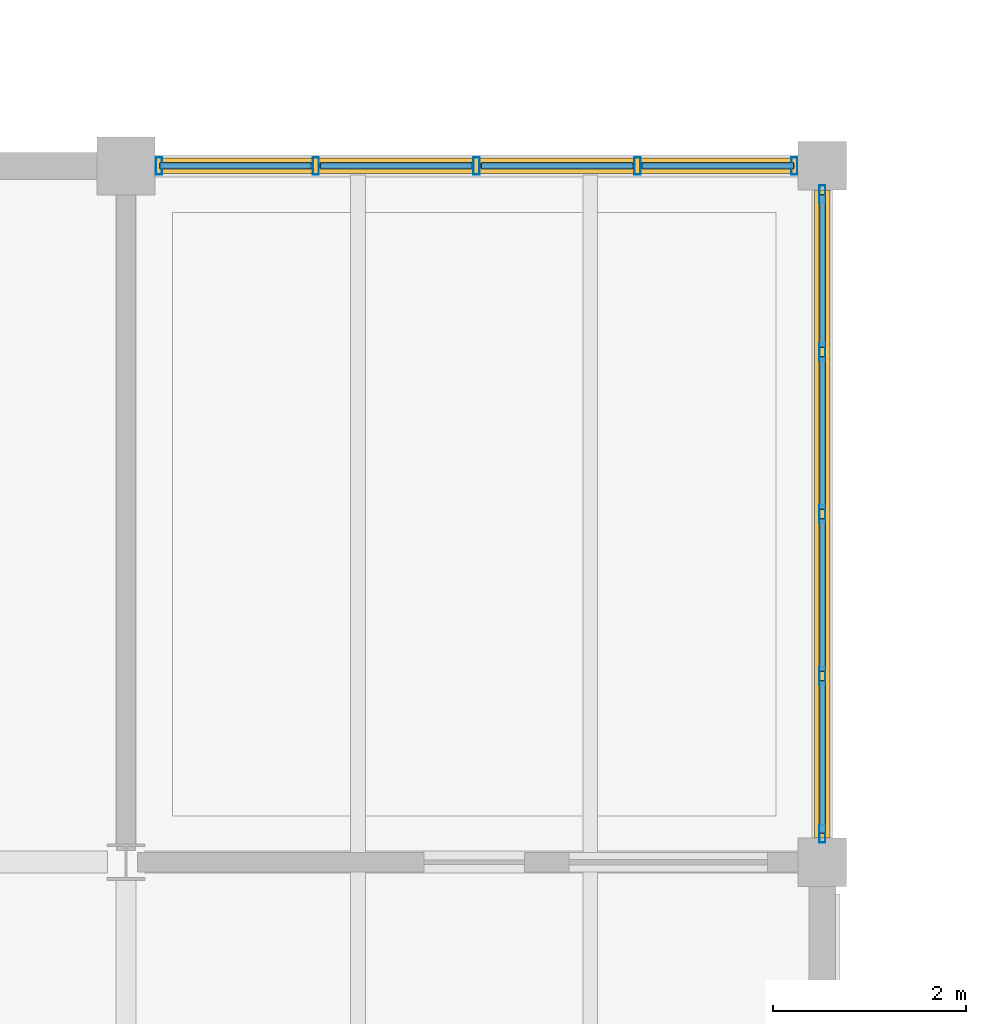
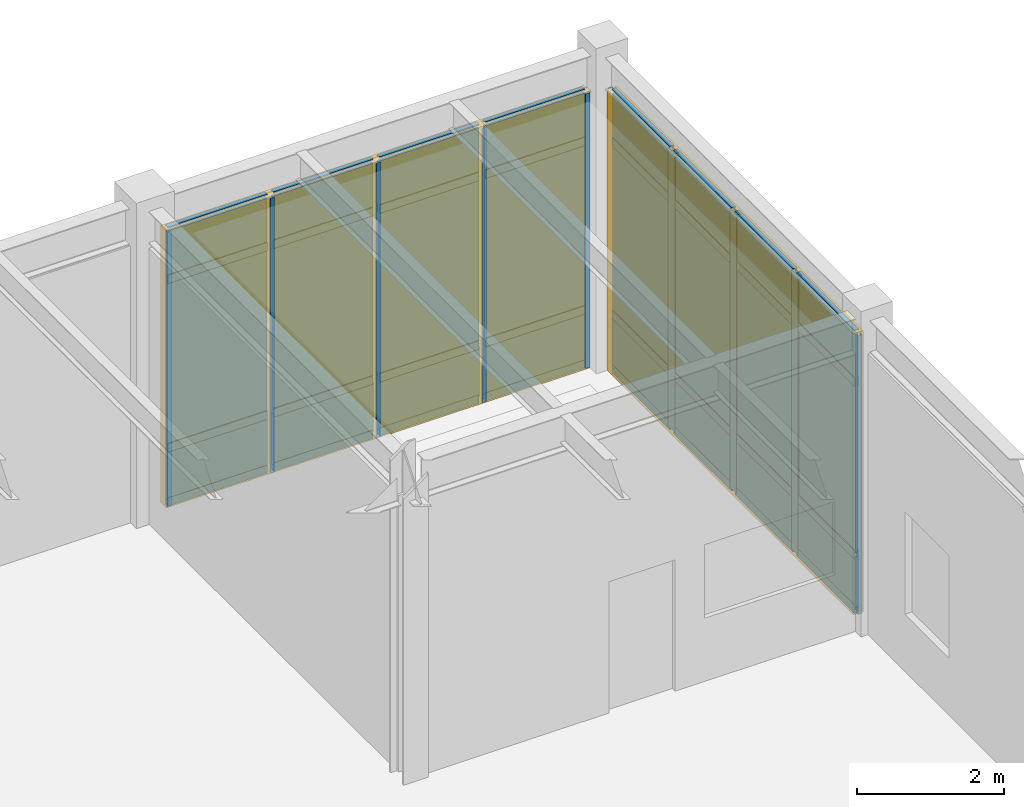
# One storey, part 76 of 97: 42 members, 16 plates, 2 curtain walls.
"""IFC4 building model written with IfcOpenShell, lengths in metres."""

from ifc_helpers import new_model, si_unit, direction, frame, origin, origin_2d, place, context, subcontext, project, spatial, rectangle, hollow_rectangle, extrude, material, layer, layer_set, material_profile, profile_set, type_object, element, aggregate, save


model = new_model("IFC4")

# Units and contexts
model_context = context("Model", 3, precision=1e-05, world=origin(), true_north=direction((0.0, 1.0)))
body_context = subcontext(model_context, "Body", "Model", "MODEL_VIEW")
ifc_project = project(units=[si_unit("LENGTHUNIT", "METRE"), si_unit("AREAUNIT", "SQUARE_METRE"), si_unit("VOLUMEUNIT", "CUBIC_METRE"), si_unit("PLANEANGLEUNIT", "RADIAN"), si_unit("MASSUNIT", "GRAM", prefix="KILO")], contexts=[model_context])

# Member
ifc_material_1 = material(Name="Anodized Aluminium 6063-T6", Category="aluminium")
ifc_material_profile_1 = material_profile(ifc_material_1, hollow_rectangle(XDim=0.06494140625, YDim=0.179931640625, WallThickness=0.00390625, at=origin_2d()), Name="ALU 65x180x4")
ifc_profile_set_1 = profile_set([ifc_material_profile_1], Name="Anodized Aluminium 6063-T6")
member_type_1 = type_object("IfcMemberType", Name="CWM-65X150", PredefinedType="MULLION", material=ifc_profile_set_1)
site_placement = place(None, origin())
building_placement = place(site_placement, origin())
storey_placement = place(building_placement, origin())
member_1_placement = place(storey_placement, frame((108.340087890625, 115.199951171875, 0.02001953125), z_axis=(0.0, 0.0, 1.0), x_axis=(1.0, 0.0, 0.0)))
member_1 = element("IfcMember", 1, at=member_1_placement, type_object=member_type_1, Name="Curtain wall mullion CW-L01-15-15-N-00", PredefinedType="MULLION", context=body_context, shape_type="SweptSolid", body=[
    extrude(hollow_rectangle(XDim=0.06494140625, YDim=0.179931640625, WallThickness=0.00390625, at=origin_2d()), origin(), (0.0, 0.0, 1.0), 4.557861328125),
])

member_2_placement = place(storey_placement, frame((109.96240234375, 115.199951171875, 0.02001953125), z_axis=(0.0, 0.0, 1.0), x_axis=(1.0, 0.0, 0.0)))
member_2 = element("IfcMember", 2, at=member_2_placement, type_object=member_type_1, Name="Curtain wall mullion CW-L01-15-15-N-01", PredefinedType="MULLION", context=body_context, shape_type="SweptSolid", body=[
    extrude(hollow_rectangle(XDim=0.06494140625, YDim=0.179931640625, WallThickness=0.00390625, at=origin_2d()), origin(), (0.0, 0.0, 1.0), 4.557861328125),
])

member_3_placement = place(storey_placement, frame((111.625, 115.199951171875, 0.02001953125), z_axis=(0.0, 0.0, 1.0), x_axis=(1.0, 0.0, 0.0)))
member_3 = element("IfcMember", 3, at=member_3_placement, type_object=member_type_1, Name="Curtain wall mullion CW-L01-15-15-N-02", PredefinedType="MULLION", context=body_context, shape_type="SweptSolid", body=[
    extrude(hollow_rectangle(XDim=0.06494140625, YDim=0.179931640625, WallThickness=0.00390625, at=origin_2d()), origin(), (0.0, 0.0, 1.0), 4.557861328125),
])

member_4_placement = place(storey_placement, frame((113.28759765625, 115.199951171875, 0.02001953125), z_axis=(0.0, 0.0, 1.0), x_axis=(1.0, 0.0, 0.0)))
member_4 = element("IfcMember", 4, at=member_4_placement, type_object=member_type_1, Name="Curtain wall mullion CW-L01-15-15-N-03", PredefinedType="MULLION", context=body_context, shape_type="SweptSolid", body=[
    extrude(hollow_rectangle(XDim=0.06494140625, YDim=0.179931640625, WallThickness=0.00390625, at=origin_2d()), origin(), (0.0, 0.0, 1.0), 4.557861328125),
])

member_5_placement = place(storey_placement, frame((114.909912109375, 115.199951171875, 0.02001953125), z_axis=(0.0, 0.0, 1.0), x_axis=(1.0, 0.0, 0.0)))
member_5 = element("IfcMember", 5, at=member_5_placement, type_object=member_type_1, Name="Curtain wall mullion CW-L01-15-15-N-04", PredefinedType="MULLION", context=body_context, shape_type="SweptSolid", body=[
    extrude(hollow_rectangle(XDim=0.06494140625, YDim=0.179931640625, WallThickness=0.00390625, at=origin_2d()), origin(), (0.0, 0.0, 1.0), 4.557861328125),
])

member_6_placement = place(storey_placement, frame((115.199951171875, 114.909912109375, 0.02001953125), z_axis=(0.0, 0.0, 1.0), x_axis=(1.0, 0.0, 0.0)))
member_6 = element("IfcMember", 6, at=member_6_placement, type_object=member_type_1, Name="Curtain wall mullion CW-L01-15-15-E-00", PredefinedType="MULLION", context=body_context, shape_type="SweptSolid", body=[
    extrude(hollow_rectangle(XDim=0.06494140625, YDim=0.179931640625, WallThickness=0.00390625, at=origin_2d()), origin(), (0.0, 0.0, 1.0), 4.626953125),
])

member_7_placement = place(storey_placement, frame((115.199951171875, 113.27490234375, 0.02001953125), z_axis=(0.0, 0.0, 1.0), x_axis=(1.0, 0.0, 0.0)))
member_7 = element("IfcMember", 7, at=member_7_placement, type_object=member_type_1, Name="Curtain wall mullion CW-L01-15-15-E-01", PredefinedType="MULLION", context=body_context, shape_type="SweptSolid", body=[
    extrude(hollow_rectangle(XDim=0.06494140625, YDim=0.179931640625, WallThickness=0.00390625, at=origin_2d()), origin(), (0.0, 0.0, 1.0), 4.626953125),
])

member_8_placement = place(storey_placement, frame((115.199951171875, 111.60009765625, 0.02001953125), z_axis=(0.0, 0.0, 1.0), x_axis=(1.0, 0.0, 0.0)))
member_8 = element("IfcMember", 8, at=member_8_placement, type_object=member_type_1, Name="Curtain wall mullion CW-L01-15-15-E-02", PredefinedType="MULLION", context=body_context, shape_type="SweptSolid", body=[
    extrude(hollow_rectangle(XDim=0.06494140625, YDim=0.179931640625, WallThickness=0.00390625, at=origin_2d()), origin(), (0.0, 0.0, 1.0), 4.626953125),
])

member_9_placement = place(storey_placement, frame((115.199951171875, 109.925048828125, 0.02001953125), z_axis=(0.0, 0.0, 1.0), x_axis=(1.0, 0.0, 0.0)))
member_9 = element("IfcMember", 9, at=member_9_placement, type_object=member_type_1, Name="Curtain wall mullion CW-L01-15-15-E-03", PredefinedType="MULLION", context=body_context, shape_type="SweptSolid", body=[
    extrude(hollow_rectangle(XDim=0.06494140625, YDim=0.179931640625, WallThickness=0.00390625, at=origin_2d()), origin(), (0.0, 0.0, 1.0), 4.626953125),
])

member_10_placement = place(storey_placement, frame((115.199951171875, 108.2900390625, 0.02001953125), z_axis=(0.0, 0.0, 1.0), x_axis=(1.0, 0.0, 0.0)))
member_10 = element("IfcMember", 10, at=member_10_placement, type_object=member_type_1, Name="Curtain wall mullion CW-L01-15-15-E-04", PredefinedType="MULLION", context=body_context, shape_type="SweptSolid", body=[
    extrude(hollow_rectangle(XDim=0.06494140625, YDim=0.179931640625, WallThickness=0.00390625, at=origin_2d()), origin(), (0.0, 0.0, 1.0), 4.626953125),
])

ifc_material_profile_2 = material_profile(ifc_material_1, hollow_rectangle(XDim=0.06494140625, YDim=0.139892578125, WallThickness=0.00390625, at=origin_2d()), Name="ALU 65x140x4")
ifc_profile_set_2 = profile_set([ifc_material_profile_2], Name="Anodized Aluminium 6063-T6")
member_type_2 = type_object("IfcMemberType", Name="CWT-65X120", PredefinedType="USERDEFINED", material=ifc_profile_set_2)
member_11_placement = place(storey_placement, frame((108.35009765625, 115.199951171875, 0.050048828125), z_axis=(1.0, 0.0, 0.0), x_axis=(0.0, 1.0, 0.0)))
member_11 = element("IfcMember", 11, at=member_11_placement, type_object=member_type_2, Name="Curtain wall transom CW-L01-15-15-N-1.01", ObjectType="TRANSOM", PredefinedType="USERDEFINED", context=body_context, shape_type="SweptSolid", body=[
    extrude(hollow_rectangle(XDim=0.06494140625, YDim=0.139892578125, WallThickness=0.00390625, at=origin_2d()), origin(), (0.0, 0.0, 1.0), 1.5625),
])

member_12_placement = place(storey_placement, frame((110.012451171875, 115.199951171875, 0.050048828125), z_axis=(1.0, 0.0, 0.0), x_axis=(0.0, 1.0, 0.0)))
member_12 = element("IfcMember", 12, at=member_12_placement, type_object=member_type_2, Name="Curtain wall transom CW-L01-15-15-N-1.02", ObjectType="TRANSOM", PredefinedType="USERDEFINED", context=body_context, shape_type="SweptSolid", body=[
    extrude(hollow_rectangle(XDim=0.06494140625, YDim=0.139892578125, WallThickness=0.00390625, at=origin_2d()), origin(), (0.0, 0.0, 1.0), 1.5625),
])

member_13_placement = place(storey_placement, frame((111.675048828125, 115.199951171875, 0.050048828125), z_axis=(1.0, 0.0, 0.0), x_axis=(0.0, 1.0, 0.0)))
member_13 = element("IfcMember", 13, at=member_13_placement, type_object=member_type_2, Name="Curtain wall transom CW-L01-15-15-N-1.03", ObjectType="TRANSOM", PredefinedType="USERDEFINED", context=body_context, shape_type="SweptSolid", body=[
    extrude(hollow_rectangle(XDim=0.06494140625, YDim=0.139892578125, WallThickness=0.00390625, at=origin_2d()), origin(), (0.0, 0.0, 1.0), 1.5625),
])

member_14_placement = place(storey_placement, frame((113.33740234375, 115.199951171875, 0.050048828125), z_axis=(1.0, 0.0, 0.0), x_axis=(0.0, 1.0, 0.0)))
member_14 = element("IfcMember", 14, at=member_14_placement, type_object=member_type_2, Name="Curtain wall transom CW-L01-15-15-N-1.04", ObjectType="TRANSOM", PredefinedType="USERDEFINED", context=body_context, shape_type="SweptSolid", body=[
    extrude(hollow_rectangle(XDim=0.06494140625, YDim=0.139892578125, WallThickness=0.00390625, at=origin_2d()), origin(), (0.0, 0.0, 1.0), 1.5625),
])

member_15_placement = place(storey_placement, frame((108.35009765625, 115.199951171875, 0.949951171875), z_axis=(1.0, 0.0, 0.0), x_axis=(0.0, 1.0, 0.0)))
member_15 = element("IfcMember", 15, at=member_15_placement, type_object=member_type_2, Name="Curtain wall transom CW-L01-15-15-N-2.01", ObjectType="TRANSOM", PredefinedType="USERDEFINED", context=body_context, shape_type="SweptSolid", body=[
    extrude(hollow_rectangle(XDim=0.06494140625, YDim=0.139892578125, WallThickness=0.00390625, at=origin_2d()), origin(), (0.0, 0.0, 1.0), 1.5625),
])

member_16_placement = place(storey_placement, frame((110.012451171875, 115.199951171875, 0.949951171875), z_axis=(1.0, 0.0, 0.0), x_axis=(0.0, 1.0, 0.0)))
member_16 = element("IfcMember", 16, at=member_16_placement, type_object=member_type_2, Name="Curtain wall transom CW-L01-15-15-N-2.02", ObjectType="TRANSOM", PredefinedType="USERDEFINED", context=body_context, shape_type="SweptSolid", body=[
    extrude(hollow_rectangle(XDim=0.06494140625, YDim=0.139892578125, WallThickness=0.00390625, at=origin_2d()), origin(), (0.0, 0.0, 1.0), 1.5625),
])

member_17_placement = place(storey_placement, frame((111.675048828125, 115.199951171875, 0.949951171875), z_axis=(1.0, 0.0, 0.0), x_axis=(0.0, 1.0, 0.0)))
member_17 = element("IfcMember", 17, at=member_17_placement, type_object=member_type_2, Name="Curtain wall transom CW-L01-15-15-N-2.03", ObjectType="TRANSOM", PredefinedType="USERDEFINED", context=body_context, shape_type="SweptSolid", body=[
    extrude(hollow_rectangle(XDim=0.06494140625, YDim=0.139892578125, WallThickness=0.00390625, at=origin_2d()), origin(), (0.0, 0.0, 1.0), 1.5625),
])

member_18_placement = place(storey_placement, frame((113.33740234375, 115.199951171875, 0.949951171875), z_axis=(1.0, 0.0, 0.0), x_axis=(0.0, 1.0, 0.0)))
member_18 = element("IfcMember", 18, at=member_18_placement, type_object=member_type_2, Name="Curtain wall transom CW-L01-15-15-N-2.04", ObjectType="TRANSOM", PredefinedType="USERDEFINED", context=body_context, shape_type="SweptSolid", body=[
    extrude(hollow_rectangle(XDim=0.06494140625, YDim=0.139892578125, WallThickness=0.00390625, at=origin_2d()), origin(), (0.0, 0.0, 1.0), 1.5625),
])

member_19_placement = place(storey_placement, frame((108.35009765625, 115.199951171875, 3.748046875), z_axis=(1.0, 0.0, 0.0), x_axis=(0.0, 1.0, 0.0)))
member_19 = element("IfcMember", 19, at=member_19_placement, type_object=member_type_2, Name="Curtain wall transom CW-L01-15-15-N-3.01", ObjectType="TRANSOM", PredefinedType="USERDEFINED", context=body_context, shape_type="SweptSolid", body=[
    extrude(hollow_rectangle(XDim=0.06494140625, YDim=0.139892578125, WallThickness=0.00390625, at=origin_2d()), origin(), (0.0, 0.0, 1.0), 1.5625),
])

member_20_placement = place(storey_placement, frame((110.012451171875, 115.199951171875, 3.748046875), z_axis=(1.0, 0.0, 0.0), x_axis=(0.0, 1.0, 0.0)))
member_20 = element("IfcMember", 20, at=member_20_placement, type_object=member_type_2, Name="Curtain wall transom CW-L01-15-15-N-3.02", ObjectType="TRANSOM", PredefinedType="USERDEFINED", context=body_context, shape_type="SweptSolid", body=[
    extrude(hollow_rectangle(XDim=0.06494140625, YDim=0.139892578125, WallThickness=0.00390625, at=origin_2d()), origin(), (0.0, 0.0, 1.0), 1.5625),
])

member_21_placement = place(storey_placement, frame((111.675048828125, 115.199951171875, 3.748046875), z_axis=(1.0, 0.0, 0.0), x_axis=(0.0, 1.0, 0.0)))
member_21 = element("IfcMember", 21, at=member_21_placement, type_object=member_type_2, Name="Curtain wall transom CW-L01-15-15-N-3.03", ObjectType="TRANSOM", PredefinedType="USERDEFINED", context=body_context, shape_type="SweptSolid", body=[
    extrude(hollow_rectangle(XDim=0.06494140625, YDim=0.139892578125, WallThickness=0.00390625, at=origin_2d()), origin(), (0.0, 0.0, 1.0), 1.5625),
])

member_22_placement = place(storey_placement, frame((113.33740234375, 115.199951171875, 3.748046875), z_axis=(1.0, 0.0, 0.0), x_axis=(0.0, 1.0, 0.0)))
member_22 = element("IfcMember", 22, at=member_22_placement, type_object=member_type_2, Name="Curtain wall transom CW-L01-15-15-N-3.04", ObjectType="TRANSOM", PredefinedType="USERDEFINED", context=body_context, shape_type="SweptSolid", body=[
    extrude(hollow_rectangle(XDim=0.06494140625, YDim=0.139892578125, WallThickness=0.00390625, at=origin_2d()), origin(), (0.0, 0.0, 1.0), 1.5625),
])

member_23_placement = place(storey_placement, frame((108.35009765625, 115.199951171875, 4.548095703125), z_axis=(1.0, 0.0, 0.0), x_axis=(0.0, 1.0, 0.0)))
member_23 = element("IfcMember", 23, at=member_23_placement, type_object=member_type_2, Name="Curtain wall transom CW-L01-15-15-N-4.01", ObjectType="TRANSOM", PredefinedType="USERDEFINED", context=body_context, shape_type="SweptSolid", body=[
    extrude(hollow_rectangle(XDim=0.06494140625, YDim=0.139892578125, WallThickness=0.00390625, at=origin_2d()), origin(), (0.0, 0.0, 1.0), 1.5625),
])

member_24_placement = place(storey_placement, frame((110.012451171875, 115.199951171875, 4.548095703125), z_axis=(1.0, 0.0, 0.0), x_axis=(0.0, 1.0, 0.0)))
member_24 = element("IfcMember", 24, at=member_24_placement, type_object=member_type_2, Name="Curtain wall transom CW-L01-15-15-N-4.02", ObjectType="TRANSOM", PredefinedType="USERDEFINED", context=body_context, shape_type="SweptSolid", body=[
    extrude(hollow_rectangle(XDim=0.06494140625, YDim=0.139892578125, WallThickness=0.00390625, at=origin_2d()), origin(), (0.0, 0.0, 1.0), 1.5625),
])

member_25_placement = place(storey_placement, frame((111.675048828125, 115.199951171875, 4.548095703125), z_axis=(1.0, 0.0, 0.0), x_axis=(0.0, 1.0, 0.0)))
member_25 = element("IfcMember", 25, at=member_25_placement, type_object=member_type_2, Name="Curtain wall transom CW-L01-15-15-N-4.03", ObjectType="TRANSOM", PredefinedType="USERDEFINED", context=body_context, shape_type="SweptSolid", body=[
    extrude(hollow_rectangle(XDim=0.06494140625, YDim=0.139892578125, WallThickness=0.00390625, at=origin_2d()), origin(), (0.0, 0.0, 1.0), 1.5625),
])

member_26_placement = place(storey_placement, frame((113.33740234375, 115.199951171875, 4.548095703125), z_axis=(1.0, 0.0, 0.0), x_axis=(0.0, 1.0, 0.0)))
member_26 = element("IfcMember", 26, at=member_26_placement, type_object=member_type_2, Name="Curtain wall transom CW-L01-15-15-N-4.04", ObjectType="TRANSOM", PredefinedType="USERDEFINED", context=body_context, shape_type="SweptSolid", body=[
    extrude(hollow_rectangle(XDim=0.06494140625, YDim=0.139892578125, WallThickness=0.00390625, at=origin_2d()), origin(), (0.0, 0.0, 1.0), 1.5625),
])

member_27_placement = place(storey_placement, frame((115.199951171875, 114.89990234375, 0.050048828125), z_axis=(0.0, -1.0, 0.0), x_axis=(1.0, 0.0, 0.0)))
member_27 = element("IfcMember", 27, at=member_27_placement, type_object=member_type_2, Name="Curtain wall transom CW-L01-15-15-E-1.01", ObjectType="TRANSOM", PredefinedType="USERDEFINED", context=body_context, shape_type="SweptSolid", body=[
    extrude(hollow_rectangle(XDim=0.06494140625, YDim=0.139892578125, WallThickness=0.00390625, at=origin_2d()), origin(), (0.0, 0.0, 1.0), 1.574951171875),
])

member_28_placement = place(storey_placement, frame((115.199951171875, 113.22509765625, 0.050048828125), z_axis=(0.0, -1.0, 0.0), x_axis=(1.0, 0.0, 0.0)))
member_28 = element("IfcMember", 28, at=member_28_placement, type_object=member_type_2, Name="Curtain wall transom CW-L01-15-15-E-1.02", ObjectType="TRANSOM", PredefinedType="USERDEFINED", context=body_context, shape_type="SweptSolid", body=[
    extrude(hollow_rectangle(XDim=0.06494140625, YDim=0.139892578125, WallThickness=0.00390625, at=origin_2d()), origin(), (0.0, 0.0, 1.0), 1.5751953125),
])

member_29_placement = place(storey_placement, frame((115.199951171875, 111.550048828125, 0.050048828125), z_axis=(0.0, -1.0, 0.0), x_axis=(1.0, 0.0, 0.0)))
member_29 = element("IfcMember", 29, at=member_29_placement, type_object=member_type_2, Name="Curtain wall transom CW-L01-15-15-E-1.03", ObjectType="TRANSOM", PredefinedType="USERDEFINED", context=body_context, shape_type="SweptSolid", body=[
    extrude(hollow_rectangle(XDim=0.06494140625, YDim=0.139892578125, WallThickness=0.00390625, at=origin_2d()), origin(), (0.0, 0.0, 1.0), 1.574951171875),
])

member_30_placement = place(storey_placement, frame((115.199951171875, 109.875, 0.050048828125), z_axis=(0.0, -1.0, 0.0), x_axis=(1.0, 0.0, 0.0)))
member_30 = element("IfcMember", 30, at=member_30_placement, type_object=member_type_2, Name="Curtain wall transom CW-L01-15-15-E-1.04", ObjectType="TRANSOM", PredefinedType="USERDEFINED", context=body_context, shape_type="SweptSolid", body=[
    extrude(hollow_rectangle(XDim=0.06494140625, YDim=0.139892578125, WallThickness=0.00390625, at=origin_2d()), origin(), (0.0, 0.0, 1.0), 1.574951171875),
])

member_31_placement = place(storey_placement, frame((115.199951171875, 114.89990234375, 0.949951171875), z_axis=(0.0, -1.0, 0.0), x_axis=(1.0, 0.0, 0.0)))
member_31 = element("IfcMember", 31, at=member_31_placement, type_object=member_type_2, Name="Curtain wall transom CW-L01-15-15-E-2.01", ObjectType="TRANSOM", PredefinedType="USERDEFINED", context=body_context, shape_type="SweptSolid", body=[
    extrude(hollow_rectangle(XDim=0.06494140625, YDim=0.139892578125, WallThickness=0.00390625, at=origin_2d()), origin(), (0.0, 0.0, 1.0), 1.574951171875),
])

member_32_placement = place(storey_placement, frame((115.199951171875, 113.22509765625, 0.949951171875), z_axis=(0.0, -1.0, 0.0), x_axis=(1.0, 0.0, 0.0)))
member_32 = element("IfcMember", 32, at=member_32_placement, type_object=member_type_2, Name="Curtain wall transom CW-L01-15-15-E-2.02", ObjectType="TRANSOM", PredefinedType="USERDEFINED", context=body_context, shape_type="SweptSolid", body=[
    extrude(hollow_rectangle(XDim=0.06494140625, YDim=0.139892578125, WallThickness=0.00390625, at=origin_2d()), origin(), (0.0, 0.0, 1.0), 1.5751953125),
])

member_33_placement = place(storey_placement, frame((115.199951171875, 111.550048828125, 0.949951171875), z_axis=(0.0, -1.0, 0.0), x_axis=(1.0, 0.0, 0.0)))
member_33 = element("IfcMember", 33, at=member_33_placement, type_object=member_type_2, Name="Curtain wall transom CW-L01-15-15-E-2.03", ObjectType="TRANSOM", PredefinedType="USERDEFINED", context=body_context, shape_type="SweptSolid", body=[
    extrude(hollow_rectangle(XDim=0.06494140625, YDim=0.139892578125, WallThickness=0.00390625, at=origin_2d()), origin(), (0.0, 0.0, 1.0), 1.574951171875),
])

member_34_placement = place(storey_placement, frame((115.199951171875, 109.875, 0.949951171875), z_axis=(0.0, -1.0, 0.0), x_axis=(1.0, 0.0, 0.0)))
member_34 = element("IfcMember", 34, at=member_34_placement, type_object=member_type_2, Name="Curtain wall transom CW-L01-15-15-E-2.04", ObjectType="TRANSOM", PredefinedType="USERDEFINED", context=body_context, shape_type="SweptSolid", body=[
    extrude(hollow_rectangle(XDim=0.06494140625, YDim=0.139892578125, WallThickness=0.00390625, at=origin_2d()), origin(), (0.0, 0.0, 1.0), 1.574951171875),
])

member_35_placement = place(storey_placement, frame((115.199951171875, 114.89990234375, 3.81689453125), z_axis=(0.0, -1.0, 0.0), x_axis=(1.0, 0.0, 0.0)))
member_35 = element("IfcMember", 35, at=member_35_placement, type_object=member_type_2, Name="Curtain wall transom CW-L01-15-15-E-3.01", ObjectType="TRANSOM", PredefinedType="USERDEFINED", context=body_context, shape_type="SweptSolid", body=[
    extrude(hollow_rectangle(XDim=0.06494140625, YDim=0.139892578125, WallThickness=0.00390625, at=origin_2d()), origin(), (0.0, 0.0, 1.0), 1.574951171875),
])

member_36_placement = place(storey_placement, frame((115.199951171875, 113.22509765625, 3.81689453125), z_axis=(0.0, -1.0, 0.0), x_axis=(1.0, 0.0, 0.0)))
member_36 = element("IfcMember", 36, at=member_36_placement, type_object=member_type_2, Name="Curtain wall transom CW-L01-15-15-E-3.02", ObjectType="TRANSOM", PredefinedType="USERDEFINED", context=body_context, shape_type="SweptSolid", body=[
    extrude(hollow_rectangle(XDim=0.06494140625, YDim=0.139892578125, WallThickness=0.00390625, at=origin_2d()), origin(), (0.0, 0.0, 1.0), 1.5751953125),
])

member_37_placement = place(storey_placement, frame((115.199951171875, 111.550048828125, 3.81689453125), z_axis=(0.0, -1.0, 0.0), x_axis=(1.0, 0.0, 0.0)))
member_37 = element("IfcMember", 37, at=member_37_placement, type_object=member_type_2, Name="Curtain wall transom CW-L01-15-15-E-3.03", ObjectType="TRANSOM", PredefinedType="USERDEFINED", context=body_context, shape_type="SweptSolid", body=[
    extrude(hollow_rectangle(XDim=0.06494140625, YDim=0.139892578125, WallThickness=0.00390625, at=origin_2d()), origin(), (0.0, 0.0, 1.0), 1.574951171875),
])

member_38_placement = place(storey_placement, frame((115.199951171875, 109.875, 3.81689453125), z_axis=(0.0, -1.0, 0.0), x_axis=(1.0, 0.0, 0.0)))
member_38 = element("IfcMember", 38, at=member_38_placement, type_object=member_type_2, Name="Curtain wall transom CW-L01-15-15-E-3.04", ObjectType="TRANSOM", PredefinedType="USERDEFINED", context=body_context, shape_type="SweptSolid", body=[
    extrude(hollow_rectangle(XDim=0.06494140625, YDim=0.139892578125, WallThickness=0.00390625, at=origin_2d()), origin(), (0.0, 0.0, 1.0), 1.574951171875),
])

member_39_placement = place(storey_placement, frame((115.199951171875, 114.89990234375, 4.616943359375), z_axis=(0.0, -1.0, 0.0), x_axis=(1.0, 0.0, 0.0)))
member_39 = element("IfcMember", 39, at=member_39_placement, type_object=member_type_2, Name="Curtain wall transom CW-L01-15-15-E-4.01", ObjectType="TRANSOM", PredefinedType="USERDEFINED", context=body_context, shape_type="SweptSolid", body=[
    extrude(hollow_rectangle(XDim=0.06494140625, YDim=0.139892578125, WallThickness=0.00390625, at=origin_2d()), origin(), (0.0, 0.0, 1.0), 1.574951171875),
])

member_40_placement = place(storey_placement, frame((115.199951171875, 113.22509765625, 4.616943359375), z_axis=(0.0, -1.0, 0.0), x_axis=(1.0, 0.0, 0.0)))
member_40 = element("IfcMember", 40, at=member_40_placement, type_object=member_type_2, Name="Curtain wall transom CW-L01-15-15-E-4.02", ObjectType="TRANSOM", PredefinedType="USERDEFINED", context=body_context, shape_type="SweptSolid", body=[
    extrude(hollow_rectangle(XDim=0.06494140625, YDim=0.139892578125, WallThickness=0.00390625, at=origin_2d()), origin(), (0.0, 0.0, 1.0), 1.5751953125),
])

member_41_placement = place(storey_placement, frame((115.199951171875, 111.550048828125, 4.616943359375), z_axis=(0.0, -1.0, 0.0), x_axis=(1.0, 0.0, 0.0)))
member_41 = element("IfcMember", 41, at=member_41_placement, type_object=member_type_2, Name="Curtain wall transom CW-L01-15-15-E-4.03", ObjectType="TRANSOM", PredefinedType="USERDEFINED", context=body_context, shape_type="SweptSolid", body=[
    extrude(hollow_rectangle(XDim=0.06494140625, YDim=0.139892578125, WallThickness=0.00390625, at=origin_2d()), origin(), (0.0, 0.0, 1.0), 1.574951171875),
])

member_42_placement = place(storey_placement, frame((115.199951171875, 109.875, 4.616943359375), z_axis=(0.0, -1.0, 0.0), x_axis=(1.0, 0.0, 0.0)))
member_42 = element("IfcMember", 42, at=member_42_placement, type_object=member_type_2, Name="Curtain wall transom CW-L01-15-15-E-4.04", ObjectType="TRANSOM", PredefinedType="USERDEFINED", context=body_context, shape_type="SweptSolid", body=[
    extrude(hollow_rectangle(XDim=0.06494140625, YDim=0.139892578125, WallThickness=0.00390625, at=origin_2d()), origin(), (0.0, 0.0, 1.0), 1.574951171875),
])

# Plate
ifc_material_2 = material(Name="Double Low-E Insulated Glazing Unit", Category="glass")
ifc_layer_1 = layer(ifc_material_2, 0.0380859375)
ifc_layer_set_1 = layer_set([ifc_layer_1], Name="Double Low-E Insulated Glazing Unit")
plate_type_1 = type_object("IfcPlateType", Name="CWP-IGU-38", PredefinedType="CURTAIN_PANEL", material=ifc_layer_set_1)
plate_1_placement = place(storey_placement, frame((109.131103515625, 115.199951171875, 0.98974609375), z_axis=(0.0, 0.0, 1.0), x_axis=(1.0, 0.0, 0.0)))
plate_1 = element("IfcPlate", 43, at=plate_1_placement, type_object=plate_type_1, Name="Curtain wall vision glazing CW-L01-15-15-N-01", PredefinedType="CURTAIN_PANEL", context=body_context, shape_type="SweptSolid", body=[
    extrude(rectangle(XDim=1.572509765625, YDim=0.0400390625, at=origin_2d()), origin(), (0.0, 0.0, 1.0), 3.548095703125),
])

plate_2_placement = place(storey_placement, frame((110.793701171875, 115.199951171875, 0.98974609375), z_axis=(0.0, 0.0, 1.0), x_axis=(1.0, 0.0, 0.0)))
plate_2 = element("IfcPlate", 44, at=plate_2_placement, type_object=plate_type_1, Name="Curtain wall vision glazing CW-L01-15-15-N-02", PredefinedType="CURTAIN_PANEL", context=body_context, shape_type="SweptSolid", body=[
    extrude(rectangle(XDim=1.572509765625, YDim=0.0400390625, at=origin_2d()), origin(), (0.0, 0.0, 1.0), 3.548095703125),
])

plate_3_placement = place(storey_placement, frame((112.456298828125, 115.199951171875, 0.98974609375), z_axis=(0.0, 0.0, 1.0), x_axis=(1.0, 0.0, 0.0)))
plate_3 = element("IfcPlate", 45, at=plate_3_placement, type_object=plate_type_1, Name="Curtain wall vision glazing CW-L01-15-15-N-03", PredefinedType="CURTAIN_PANEL", context=body_context, shape_type="SweptSolid", body=[
    extrude(rectangle(XDim=1.572509765625, YDim=0.0400390625, at=origin_2d()), origin(), (0.0, 0.0, 1.0), 3.548095703125),
])

plate_4_placement = place(storey_placement, frame((114.118896484375, 115.199951171875, 0.98974609375), z_axis=(0.0, 0.0, 1.0), x_axis=(1.0, 0.0, 0.0)))
plate_4 = element("IfcPlate", 46, at=plate_4_placement, type_object=plate_type_1, Name="Curtain wall vision glazing CW-L01-15-15-N-04", PredefinedType="CURTAIN_PANEL", context=body_context, shape_type="SweptSolid", body=[
    extrude(rectangle(XDim=1.572509765625, YDim=0.0400390625, at=origin_2d()), origin(), (0.0, 0.0, 1.0), 3.548095703125),
])

plate_5_placement = place(storey_placement, frame((115.199951171875, 114.112548828125, 0.990234375), z_axis=(0.0, 0.0, 1.0), x_axis=(0.0, -1.0, 0.0)))
plate_5 = element("IfcPlate", 47, at=plate_5_placement, type_object=plate_type_1, Name="Curtain wall vision glazing CW-L01-15-15-E-01", PredefinedType="CURTAIN_PANEL", context=body_context, shape_type="SweptSolid", body=[
    extrude(rectangle(XDim=1.5849609375, YDim=0.0400390625, at=origin_2d()), origin(), (0.0, 0.0, 1.0), 3.616943359375),
])

plate_6_placement = place(storey_placement, frame((115.199951171875, 112.4375, 0.990234375), z_axis=(0.0, 0.0, 1.0), x_axis=(0.0, -1.0, 0.0)))
plate_6 = element("IfcPlate", 48, at=plate_6_placement, type_object=plate_type_1, Name="Curtain wall vision glazing CW-L01-15-15-E-02", PredefinedType="CURTAIN_PANEL", context=body_context, shape_type="SweptSolid", body=[
    extrude(rectangle(XDim=1.5849609375, YDim=0.0400390625, at=origin_2d()), origin(), (0.0, 0.0, 1.0), 3.616943359375),
])

plate_7_placement = place(storey_placement, frame((115.199951171875, 110.762451171875, 0.990234375), z_axis=(0.0, 0.0, 1.0), x_axis=(0.0, -1.0, 0.0)))
plate_7 = element("IfcPlate", 49, at=plate_7_placement, type_object=plate_type_1, Name="Curtain wall vision glazing CW-L01-15-15-E-03", PredefinedType="CURTAIN_PANEL", context=body_context, shape_type="SweptSolid", body=[
    extrude(rectangle(XDim=1.5849609375, YDim=0.0400390625, at=origin_2d()), origin(), (0.0, 0.0, 1.0), 3.616943359375),
])

plate_8_placement = place(storey_placement, frame((115.199951171875, 109.08740234375, 0.990234375), z_axis=(0.0, 0.0, 1.0), x_axis=(0.0, -1.0, 0.0)))
plate_8 = element("IfcPlate", 50, at=plate_8_placement, type_object=plate_type_1, Name="Curtain wall vision glazing CW-L01-15-15-E-04", PredefinedType="CURTAIN_PANEL", context=body_context, shape_type="SweptSolid", body=[
    extrude(rectangle(XDim=1.5849609375, YDim=0.0400390625, at=origin_2d()), origin(), (0.0, 0.0, 1.0), 3.616943359375),
])

ifc_material_3 = material(Name="Insulated Bronze Aluminium Spandrel", Category="aluminium")
ifc_layer_2 = layer(ifc_material_3, 0.06005859375)
ifc_layer_set_2 = layer_set([ifc_layer_2], Name="Insulated Bronze Aluminium Spandrel")
plate_type_2 = type_object("IfcPlateType", Name="CWP-SPN-60", PredefinedType="CURTAIN_PANEL", material=ifc_layer_set_2)
plate_9_placement = place(storey_placement, frame((109.131103515625, 115.199951171875, 0.080078125), z_axis=(0.0, 0.0, 1.0), x_axis=(1.0, 0.0, 0.0)))
plate_9 = element("IfcPlate", 51, at=plate_9_placement, type_object=plate_type_2, Name="Curtain wall spandrel panel CW-L01-15-15-N-01", PredefinedType="CURTAIN_PANEL", context=body_context, shape_type="SweptSolid", body=[
    extrude(rectangle(XDim=1.572509765625, YDim=0.06005859375, at=origin_2d()), origin(), (0.0, 0.0, 1.0), 0.840087890625),
])

plate_10_placement = place(storey_placement, frame((110.793701171875, 115.199951171875, 0.080078125), z_axis=(0.0, 0.0, 1.0), x_axis=(1.0, 0.0, 0.0)))
plate_10 = element("IfcPlate", 52, at=plate_10_placement, type_object=plate_type_2, Name="Curtain wall spandrel panel CW-L01-15-15-N-02", PredefinedType="CURTAIN_PANEL", context=body_context, shape_type="SweptSolid", body=[
    extrude(rectangle(XDim=1.572509765625, YDim=0.06005859375, at=origin_2d()), origin(), (0.0, 0.0, 1.0), 0.840087890625),
])

plate_11_placement = place(storey_placement, frame((112.456298828125, 115.199951171875, 0.080078125), z_axis=(0.0, 0.0, 1.0), x_axis=(1.0, 0.0, 0.0)))
plate_11 = element("IfcPlate", 53, at=plate_11_placement, type_object=plate_type_2, Name="Curtain wall spandrel panel CW-L01-15-15-N-03", PredefinedType="CURTAIN_PANEL", context=body_context, shape_type="SweptSolid", body=[
    extrude(rectangle(XDim=1.572509765625, YDim=0.06005859375, at=origin_2d()), origin(), (0.0, 0.0, 1.0), 0.840087890625),
])

plate_12_placement = place(storey_placement, frame((114.118896484375, 115.199951171875, 0.080078125), z_axis=(0.0, 0.0, 1.0), x_axis=(1.0, 0.0, 0.0)))
plate_12 = element("IfcPlate", 54, at=plate_12_placement, type_object=plate_type_2, Name="Curtain wall spandrel panel CW-L01-15-15-N-04", PredefinedType="CURTAIN_PANEL", context=body_context, shape_type="SweptSolid", body=[
    extrude(rectangle(XDim=1.572509765625, YDim=0.06005859375, at=origin_2d()), origin(), (0.0, 0.0, 1.0), 0.840087890625),
])

plate_13_placement = place(storey_placement, frame((115.199951171875, 114.112548828125, 0.080078125), z_axis=(0.0, 0.0, 1.0), x_axis=(0.0, -1.0, 0.0)))
plate_13 = element("IfcPlate", 55, at=plate_13_placement, type_object=plate_type_2, Name="Curtain wall spandrel panel CW-L01-15-15-E-01", PredefinedType="CURTAIN_PANEL", context=body_context, shape_type="SweptSolid", body=[
    extrude(rectangle(XDim=1.5849609375, YDim=0.06005859375, at=origin_2d()), origin(), (0.0, 0.0, 1.0), 0.840087890625),
])

plate_14_placement = place(storey_placement, frame((115.199951171875, 112.4375, 0.080078125), z_axis=(0.0, 0.0, 1.0), x_axis=(0.0, -1.0, 0.0)))
plate_14 = element("IfcPlate", 56, at=plate_14_placement, type_object=plate_type_2, Name="Curtain wall spandrel panel CW-L01-15-15-E-02", PredefinedType="CURTAIN_PANEL", context=body_context, shape_type="SweptSolid", body=[
    extrude(rectangle(XDim=1.5849609375, YDim=0.06005859375, at=origin_2d()), origin(), (0.0, 0.0, 1.0), 0.840087890625),
])

plate_15_placement = place(storey_placement, frame((115.199951171875, 110.762451171875, 0.080078125), z_axis=(0.0, 0.0, 1.0), x_axis=(0.0, -1.0, 0.0)))
plate_15 = element("IfcPlate", 57, at=plate_15_placement, type_object=plate_type_2, Name="Curtain wall spandrel panel CW-L01-15-15-E-03", PredefinedType="CURTAIN_PANEL", context=body_context, shape_type="SweptSolid", body=[
    extrude(rectangle(XDim=1.5849609375, YDim=0.06005859375, at=origin_2d()), origin(), (0.0, 0.0, 1.0), 0.840087890625),
])

plate_16_placement = place(storey_placement, frame((115.199951171875, 109.08740234375, 0.080078125), z_axis=(0.0, 0.0, 1.0), x_axis=(0.0, -1.0, 0.0)))
plate_16 = element("IfcPlate", 58, at=plate_16_placement, type_object=plate_type_2, Name="Curtain wall spandrel panel CW-L01-15-15-E-04", PredefinedType="CURTAIN_PANEL", context=body_context, shape_type="SweptSolid", body=[
    extrude(rectangle(XDim=1.5849609375, YDim=0.06005859375, at=origin_2d()), origin(), (0.0, 0.0, 1.0), 0.840087890625),
])

# Site, building, storey
site = spatial("IfcSite", under=ifc_project, at=site_placement, CompositionType="ELEMENT")
building = spatial("IfcBuilding", under=site, at=building_placement, Name="Sillqori Civic Hall", CompositionType="ELEMENT")
storey = spatial("IfcBuildingStorey", under=building, at=storey_placement, Name="L01", CompositionType="ELEMENT", Elevation=0.0)

# Curtain wall
ifc_material_4 = material(Name="Anodized Aluminium Curtain Wall System", Category="aluminium")
curtain_wall_type = type_object("IfcCurtainWallType", Name="CW-SF-540", PredefinedType="NOTDEFINED", material=ifc_material_4)
curtain_wall_1_placement = place(storey_placement, frame((111.625, 115.199951171875, 0.0), z_axis=(0.0, 0.0, 1.0), x_axis=(1.0, 0.0, 0.0)))
curtain_wall_1 = element("IfcCurtainWall", 59, at=curtain_wall_1_placement, inside=storey, type_object=curtain_wall_type, Name="L01 unitised curtain wall CW-L01-15-15-N", PredefinedType="NOTDEFINED", context=body_context, shape_type="SweptSolid", body=[
    extrude(rectangle(XDim=6.64990234375, YDim=0.159912109375, at=origin_2d()), origin(), (0.0, 0.0, 1.0), 4.597900390625),
])

aggregate(curtain_wall_1, [member_1, member_2, member_3, member_4, member_5, member_11, member_12, member_13, member_14, member_15, member_16, member_17, member_18, member_19, member_20, member_21, member_22, member_23, member_24, member_25, member_26, plate_9, plate_1, plate_10, plate_2, plate_11, plate_3, plate_12, plate_4])

curtain_wall_2_placement = place(storey_placement, frame((115.199951171875, 111.60009765625, 0.0), z_axis=(0.0, 0.0, 1.0), x_axis=(0.0, -1.0, 0.0)))
curtain_wall_2 = element("IfcCurtainWall", 60, at=curtain_wall_2_placement, inside=storey, type_object=curtain_wall_type, Name="L01 unitised curtain wall CW-L01-15-15-E", PredefinedType="NOTDEFINED", context=body_context, shape_type="SweptSolid", body=[
    extrude(rectangle(XDim=6.699951171875, YDim=0.159912109375, at=origin_2d()), origin(), (0.0, 0.0, 1.0), 4.6669921875),
])

aggregate(curtain_wall_2, [member_6, member_7, member_8, member_9, member_10, member_27, member_28, member_29, member_30, member_31, member_32, member_33, member_34, member_35, member_36, member_37, member_38, member_39, member_40, member_41, member_42, plate_13, plate_5, plate_14, plate_6, plate_15, plate_7, plate_16, plate_8])

save(model, "model.ifc")
